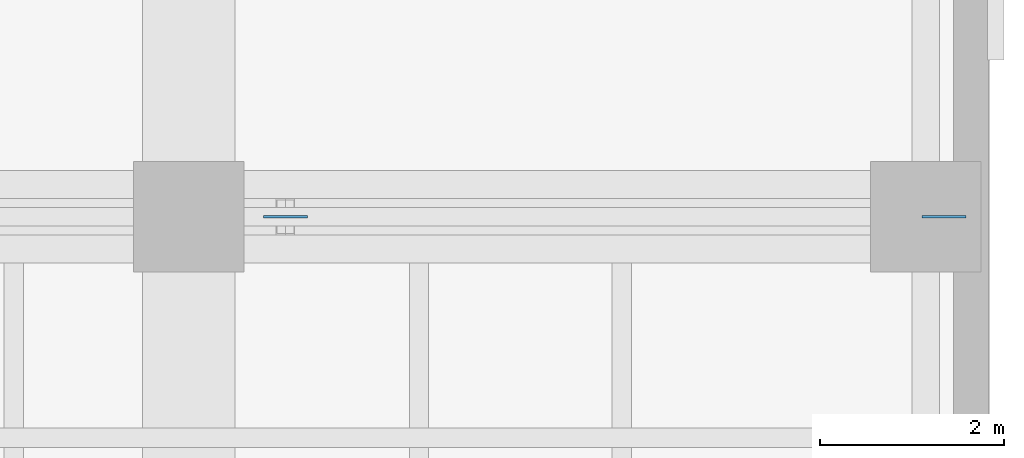
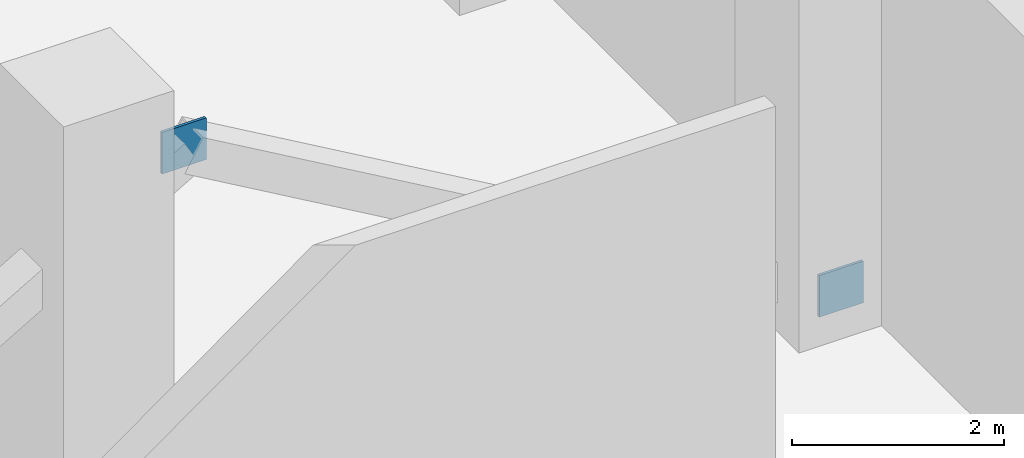
# One storey, part 4 of 13: 2 plates.
"""IFC4 building model written with IfcOpenShell, lengths in metres."""

from ifc_helpers import new_model, si_unit, direction, frame, origin, origin_2d, place, context, subcontext, project, spatial, rectangle, extrude, material, layer, layer_set, type_object, element, save


model = new_model("IFC4")

# Units and contexts
model_context = context("Model", 3, precision=1e-05, world=origin(), true_north=direction((0.0, 1.0)))
body_context = subcontext(model_context, "Body", "Model", "MODEL_VIEW")
ifc_project = project(units=[si_unit("LENGTHUNIT", "METRE"), si_unit("AREAUNIT", "SQUARE_METRE"), si_unit("VOLUMEUNIT", "CUBIC_METRE"), si_unit("PLANEANGLEUNIT", "RADIAN"), si_unit("MASSUNIT", "GRAM", prefix="KILO")], contexts=[model_context])

# Site, building, storey
site_placement = place(None, origin())
site = spatial("IfcSite", under=ifc_project, at=site_placement, CompositionType="ELEMENT")
building_placement = place(site_placement, origin())
building = spatial("IfcBuilding", under=site, at=building_placement, Name="Kranthara Brick Stack", CompositionType="ELEMENT")
storey_placement = place(building_placement, frame((0.0, 0.0, 18.89990234375)))
storey = spatial("IfcBuildingStorey", under=building, at=storey_placement, Name="L04", CompositionType="ELEMENT", Elevation=18.89990234375)

# Plates
ifc_material = material(Name="Steel S355", Category="steel")
ifc_layer = layer(ifc_material, 0.030029296875)
ifc_layer_set = layer_set([ifc_layer], Name="Steel S355")
plate_type = type_object("IfcPlateType", Name="PLT-GUSSET-30", PredefinedType="USERDEFINED", material=ifc_layer_set)
for number, where, z_axis, x_axis, name in (
    (1, (50.35009765625, 20.800048828125, 4.010009765625), (0.0, 0.0, 1.0), (1.0, 0.0, 0.0), "L04 Brace and Strut End Connection Gusset Plate 136"),
    (2, (57.5, 20.800048828125, -0.139892578125), (0.0, 0.0, 1.0), (1.0, 0.0, 0.0), "L04 Brace and Strut End Connection Gusset Plate 141"),
):
    element("IfcPlate", number, at=place(storey_placement, frame(where, z_axis=z_axis, x_axis=x_axis)), inside=storey, type_object=plate_type, Name=name, ObjectType="GUSSET PLATE", PredefinedType="USERDEFINED", context=body_context, shape_type="SweptSolid", body=[
        extrude(rectangle(XDim=0.47998046875, YDim=0.030029296875, at=origin_2d()), origin(), (0.0, 0.0, 1.0), 0.47998046875),
    ])

save(model, "model.ifc")
